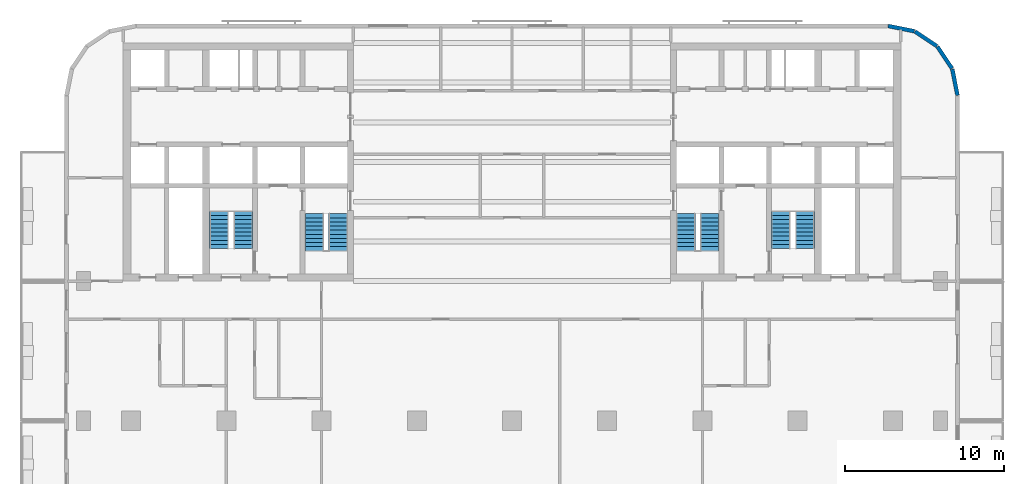
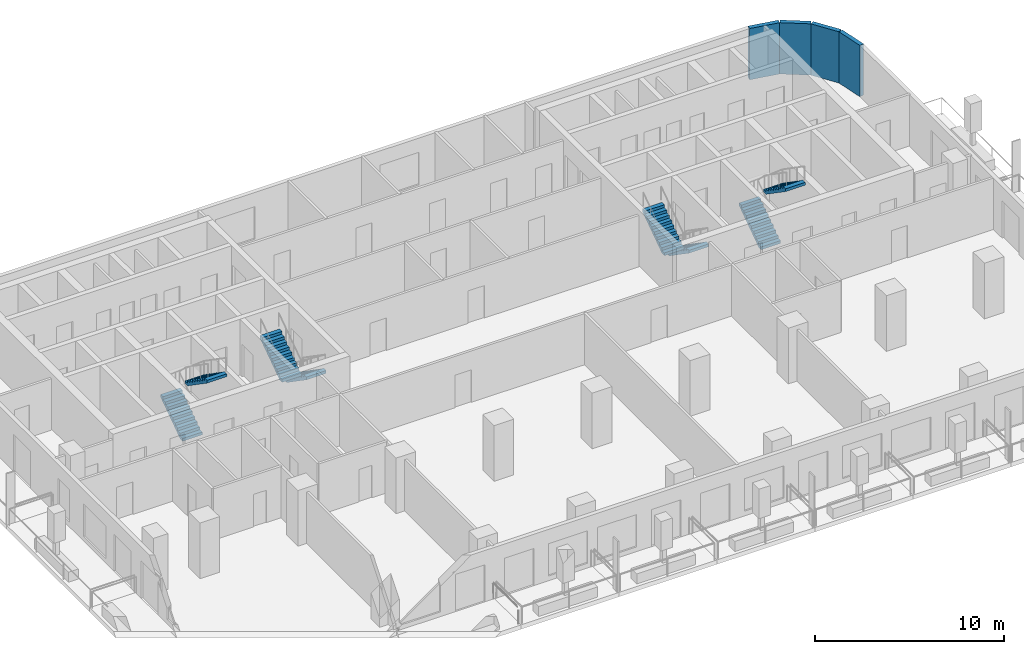
# One storey, part 7 of 11: 8 stair flights, 4 walls, 4 elements without a shape of their own.
"""IFC4 building model written with IfcOpenShell, lengths in metres."""

import ifcopenshell
import ifcopenshell.guid

model = None  # the IFC model being written
_history = None  # IfcOwnerHistory: only IFC2X3 demands one
_inside = {}  # id of a spatial element -> (the spatial element, [elements in it])
_under = {}  # id of a project, library or spatial element -> (it, [spatial elements below it])
_declared = {}  # id of a project -> (the project, [libraries it declares])
_typed = {}  # id of a type object -> (the type object, [elements of that type])
_made_of = {}  # id of a material, layer set ... -> (it, [elements and type objects made of it])


def new_model(schema):
    """Start an empty IFC model of exactly this schema.

    Asked for "IFC4X3", IfcOpenShell would pick the latest addendum, in which some entities
    have other attributes; the version numbers below select the first issue.
    IFC2X3 requires an IfcOwnerHistory on every rooted entity: one is made here for all.
    """
    global model, _history
    if schema == "IFC4X3":
        model = ifcopenshell.file(schema_version=(4, 3, 0, 0))
    else:
        model = ifcopenshell.file(schema=schema)
    _inside.clear()
    _under.clear()
    _declared.clear()
    _typed.clear()
    _made_of.clear()
    _history = None
    if model.schema == "IFC2X3":
        org = make("IfcOrganization", Name="unknown")
        user = make(
            "IfcPersonAndOrganization",
            ThePerson=make("IfcPerson", FamilyName="unknown"),
            TheOrganization=org,
        )
        app = make(
            "IfcApplication",
            ApplicationDeveloper=org,
            Version="unknown",
            ApplicationFullName="unknown",
            ApplicationIdentifier="unknown",
        )
        _history = make(
            "IfcOwnerHistory",
            OwningUser=user,
            OwningApplication=app,
            ChangeAction="ADDED",
            CreationDate=0,
        )
    return model


def make(cls, **values):
    """One entity of the class cls with the attributes given. An attribute that is None is left unset."""
    return model.create_entity(
        cls, **{name: value for name, value in values.items() if value is not None}
    )


def rooted(cls, **values):
    """An entity with a GlobalId (a new one), such as an element, a storey or a relation."""
    return make(cls, GlobalId=ifcopenshell.guid.new(), OwnerHistory=_history, **values)


def si_unit(unit_type, name, prefix=None):
    """IfcSIUnit, for example si_unit("LENGTHUNIT", "METRE", prefix="MILLI")."""
    return make("IfcSIUnit", UnitType=unit_type, Prefix=prefix, Name=name)


def assignment(units):
    """IfcUnitAssignment: the units of a project."""
    return None if units is None else make("IfcUnitAssignment", Units=units)


def point(xyz):
    """IfcCartesianPoint."""
    return None if xyz is None else make("IfcCartesianPoint", Coordinates=xyz)


def direction(xyz):
    """IfcDirection."""
    return None if xyz is None else make("IfcDirection", DirectionRatios=xyz)


def frame(location, z_axis=None, x_axis=None):
    """IfcAxis2Placement3D, a coordinate frame: its origin and axes. An axis left out is left unset."""
    return make(
        "IfcAxis2Placement3D",
        Location=point(location),
        Axis=direction(z_axis),
        RefDirection=direction(x_axis),
    )


def frame_2d(location, x_axis=None):
    """IfcAxis2Placement2D, a coordinate frame in the plane: its origin and x axis."""
    return make(
        "IfcAxis2Placement2D", Location=point(location), RefDirection=direction(x_axis)
    )


def origin():
    """The frame at (0, 0, 0) with its axes left unset."""
    return frame((0.0, 0.0, 0.0))


def place(relative_to, where):
    """IfcLocalPlacement: puts the frame where relative to a parent placement (None: the world)."""
    return make(
        "IfcLocalPlacement", PlacementRelTo=relative_to, RelativePlacement=where
    )


def context(
    kind, dimensions, precision=None, world=None, true_north=None, identifier=None
):
    """IfcGeometricRepresentationContext, for example the 3D "Model" context."""
    return make(
        "IfcGeometricRepresentationContext",
        ContextIdentifier=identifier,
        ContextType=kind,
        CoordinateSpaceDimension=dimensions,
        Precision=precision,
        WorldCoordinateSystem=world,
        TrueNorth=true_north,
    )


def subcontext(parent, identifier, kind, view, scale=None):
    """IfcGeometricRepresentationSubContext, for example "Body" below "Model"."""
    return make(
        "IfcGeometricRepresentationSubContext",
        ContextIdentifier=identifier,
        ContextType=kind,
        ParentContext=parent,
        TargetScale=scale,
        TargetView=view,
    )


def project(units=None, contexts=None):
    """IfcProject with its units and contexts."""
    return rooted(
        "IfcProject",
        Name="project",
        RepresentationContexts=contexts,
        UnitsInContext=assignment(units),
    )


def spatial(cls, under=None, at=None, **own):
    """A site, building, storey or space (cls), placed at a placement, below another one or the project."""
    s = rooted(cls, ObjectPlacement=at, **own)
    if under is not None:
        _under.setdefault(under.id(), (under, []))[1].append(s)
    return s


def polyline(points):
    """IfcPolyline through the points."""
    return make("IfcPolyline", Points=[point(p) for p in points])


def profile(cls, at=None, kind="AREA", **sizes):
    """A parametric profile (cls). Its sizes go by their IFC names, for example OverallWidth=200.0."""
    return make(cls, ProfileType=kind, Position=at, **sizes)


def rectangle(**sizes):
    """IfcRectangleProfileDef."""
    return profile("IfcRectangleProfileDef", **sizes)


def outline(outer, holes=None, kind="AREA"):
    """IfcArbitraryClosedProfileDef: a profile drawn as a closed curve; with holes, ...WithVoids."""
    if holes is None:
        return make("IfcArbitraryClosedProfileDef", ProfileType=kind, OuterCurve=outer)
    return make(
        "IfcArbitraryProfileDefWithVoids",
        ProfileType=kind,
        OuterCurve=outer,
        InnerCurves=holes,
    )


def extrude(swept, where, along, depth):
    """IfcExtrudedAreaSolid: the profile swept, set in the frame where, extruded along a direction by depth."""
    return make(
        "IfcExtrudedAreaSolid",
        SweptArea=swept,
        Position=where,
        ExtrudedDirection=direction(along),
        Depth=depth,
    )


def shape(context_of_items, identifier, shape_type, items):
    """IfcShapeRepresentation: the items that make up one representation, for example the "Body"."""
    return make(
        "IfcShapeRepresentation",
        ContextOfItems=context_of_items,
        RepresentationIdentifier=identifier,
        RepresentationType=shape_type,
        Items=items,
    )


def material(Name=None, Category=None):
    """IfcMaterial."""
    return make("IfcMaterial", Name=Name, Category=Category)


def layer(
    of_material, thickness, ventilated=None, Name=None, Category=None, Priority=None
):
    """IfcMaterialLayer: one layer of a wall or slab, of a material (None: an air gap)."""
    return make(
        "IfcMaterialLayer",
        Material=of_material,
        LayerThickness=thickness,
        IsVentilated=ventilated,
        Name=Name,
        Category=Category,
        Priority=Priority,
    )


def layer_set(layers, Name=None):
    """IfcMaterialLayerSet."""
    return make("IfcMaterialLayerSet", MaterialLayers=layers, LayerSetName=Name)


def made_of(thing, what):
    """Note that an element or type object is made of a material, layer set ...; save() writes the relation."""
    if what is not None:
        _made_of.setdefault(what.id(), (what, []))[1].append(thing)
    return thing


def type_object(cls, material=None, **own):
    """A type object (cls), such as IfcWallType, which elements share."""
    return made_of(rooted(cls, **own), material)


def element(
    cls,
    number,
    at=None,
    inside=None,
    cuts=None,
    type_object=None,
    material=None,
    context=None,
    identifier="Body",
    shape_type=None,
    held_by="IfcProductDefinitionShape",
    body=None,
    shapes=None,
    **own,
):
    """One element of the class cls, such as IfcWall. Its Tag is "e" and its number.

    at: its placement. inside: the storey or other place that contains it. cuts: it is an
    opening in that element (IfcRelVoidsElement). A single representation is given by context,
    identifier, shape_type and body (its items); several are given by shapes. held_by: the class
    of the entity that holds the representations. save() writes the other relations.
    """
    e = rooted(cls, Tag="e%d" % number, ObjectPlacement=at, **own)
    if body is not None:
        shapes = [shape(context, identifier, shape_type, body)]
    if shapes is not None:
        e.Representation = make(held_by, Representations=shapes)
    if inside is not None:
        _inside.setdefault(inside.id(), (inside, []))[1].append(e)
    if cuts is not None:
        rooted(
            "IfcRelVoidsElement", RelatingBuildingElement=cuts, RelatedOpeningElement=e
        )
    if type_object is not None:
        _typed.setdefault(type_object.id(), (type_object, []))[1].append(e)
    return made_of(e, material)


def aggregate(whole, parts):
    """IfcRelAggregates: a whole, such as a stair, and the parts it consists of."""
    return rooted("IfcRelAggregates", RelatingObject=whole, RelatedObjects=parts)


def save(model, path):
    """Write the relations noted so far, then the file.

    IfcRelAggregates (storeys below a building ...), IfcRelContainedInSpatialStructure (elements
    in a storey), IfcRelDefinesByType, IfcRelAssociatesMaterial and IfcRelDeclares: one each for
    every whole, place, type object, material and project.
    """
    for whole, parts in _under.values():
        aggregate(whole, parts)
    for where, things in _inside.values():
        rooted(
            "IfcRelContainedInSpatialStructure",
            RelatedElements=things,
            RelatingStructure=where,
        )
    for kind, things in _typed.values():
        rooted("IfcRelDefinesByType", RelatedObjects=things, RelatingType=kind)
    for what, things in _made_of.values():
        rooted("IfcRelAssociatesMaterial", RelatedObjects=things, RelatingMaterial=what)
    for by, libraries in _declared.values():
        rooted("IfcRelDeclares", RelatingContext=by, RelatedDefinitions=libraries)
    model.write(path)


model = new_model("IFC4")

# Units and contexts
model_context = context("Model", 3, precision=1e-05, world=origin(), true_north=direction((0.0, 1.0)))
body_context = subcontext(model_context, "Body", "Model", "MODEL_VIEW")
ifc_project = project(units=[si_unit("LENGTHUNIT", "METRE"), si_unit("AREAUNIT", "SQUARE_METRE"), si_unit("VOLUMEUNIT", "CUBIC_METRE"), si_unit("PLANEANGLEUNIT", "RADIAN"), si_unit("MASSUNIT", "GRAM", prefix="KILO")], contexts=[model_context])

# Site, building, storey
site_placement = place(None, origin())
site = spatial("IfcSite", under=ifc_project, at=site_placement, CompositionType="ELEMENT")
building_placement = place(site_placement, origin())
building = spatial("IfcBuilding", under=site, at=building_placement, Name="Torana Hotel and Residences", CompositionType="ELEMENT")
storey_placement = place(building_placement, frame((0.0, 0.0, 170.39990234375)))
storey = spatial("IfcBuildingStorey", under=building, at=storey_placement, Name="L44", CompositionType="ELEMENT", Elevation=170.39990234375)

# Walls
ifc_material_1 = material(Name="Black aluminium composite panel", Category="aluminium")
ifc_layer_1 = layer(ifc_material_1, 0.00390625, Name="Cladding", Category="cladding")
ifc_material_2 = material(Name="Ventilated air cavity")
ifc_layer_2 = layer(ifc_material_2, 0.0400390625, Name="Ventilated cavity", Category="cavity")
ifc_material_3 = material(Name="Mineral wool insulation")
ifc_layer_3 = layer(ifc_material_3, 0.090087890625, Name="Insulation", Category="insulation")
ifc_material_4 = material(Name="Steel S280GD", Category="steel")
ifc_layer_4 = layer(ifc_material_4, 0.092041015625, Name="Steel stud frame", Category="structure")
ifc_material_5 = material(Name="Fire rated plasterboard")
ifc_layer_5 = layer(ifc_material_5, 0.011962890625, Name="Inner board", Category="finish")
ifc_layer_6 = layer(ifc_material_5, 0.011962890625, Name="Second board", Category="finish")
ifc_layer_set = layer_set([ifc_layer_1, ifc_layer_2, ifc_layer_3, ifc_layer_4, ifc_layer_5, ifc_layer_6], Name="EW1 EXTERNAL WALL BLACK METAL CLAD 250")
wall_type = type_object("IfcWallType", Name="EW1 EXTERNAL WALL BLACK METAL CLAD 250", PredefinedType="SOLIDWALL", material=ifc_layer_set)
wall_1_placement = place(storey_placement, frame((28.072509765625, -3.30029296875, 0.0), z_axis=(0.0, 0.0, 1.0), x_axis=(-0.194999110559, 0.980803419081, 0.0)))
element("IfcWall", 1, at=wall_1_placement, inside=storey, type_object=wall_type, Name="External wall L44 e0.0", PredefinedType="SOLIDWALL", context=body_context, shape_type="SweptSolid", body=[
    extrude(rectangle(XDim=1.681396484375, YDim=0.25, at=frame_2d((0.8408203125, 0.0))), origin(), (0.0, 0.0, 1.0), 3.320068359375),
])
for number, where, z_axis, x_axis, name in (
    (2, (27.725830078125, -1.60595703125, 0.0), (0.0, 0.0, 1.0), (-0.55555029066, 0.831482937015, 0.0), "External wall L44 e0.1"),
    (3, (26.771240234375, -0.1943359375, 0.0), (0.0, 0.0, 1.0), (-0.831482937015, 0.55555029066, 0.0), "External wall L44 e0.2"),
):
    element("IfcWall", number, at=place(storey_placement, frame(where, z_axis=z_axis, x_axis=x_axis)), inside=storey, type_object=wall_type, Name=name, PredefinedType="SOLIDWALL", context=body_context, shape_type="SweptSolid", body=[
        extrude(rectangle(XDim=1.65625, YDim=0.25, at=frame_2d((0.828125, 0.0))), origin(), (0.0, 0.0, 1.0), 3.320068359375),
    ])
wall_2_placement = place(storey_placement, frame((25.348876953125, 0.74462890625, 0.0), z_axis=(0.0, 0.0, 1.0), x_axis=(-0.980803419081, 0.194999110559, 0.0)))
element("IfcWall", 4, at=wall_2_placement, inside=storey, type_object=wall_type, Name="External wall L44 e0.3", PredefinedType="SOLIDWALL", context=body_context, shape_type="SweptSolid", body=[
    extrude(rectangle(XDim=1.681396484375, YDim=0.25, at=frame_2d((0.8408203125, 0.0))), origin(), (0.0, 0.0, 1.0), 3.320068359375),
])

# Stair, stair flights
ifc_material_6 = material(Name="Concrete C40/50 precast", Category="concrete")
stair_type_1 = type_object("IfcStairType", Name="STAIR ST1 HALF TURN 1200", PredefinedType="HALF_TURN_STAIR", material=ifc_material_6)
stair_1_placement = place(storey_placement, origin())
stair_1 = element("IfcStair", 5, at=stair_1_placement, inside=storey, type_object=stair_type_1, Name="Stair ST1 L44", PredefinedType="HALF_TURN_STAIR")
ifc_material_7 = material(Name="Concrete C40/50 precast", Category="concrete")
stair_flight_type = type_object("IfcStairFlightType", Name="STAIR FLIGHT 1200 PRECAST", PredefinedType="STRAIGHT", material=ifc_material_7)
stair_flight_1_placement = place(storey_placement, frame((-10.949951171875, -10.75, 0.0), z_axis=(0.0, 0.0, 1.0), x_axis=(0.0, -1.0, 0.0)))
stair_flight_1 = element("IfcStairFlight", 6, at=stair_flight_1_placement, type_object=stair_flight_type, Name="ST1 flight 1", NumberOfRisers=10, NumberOfTreads=9, PredefinedType="STRAIGHT", RiserHeight=0.18, TreadLength=0.26, context=body_context, shape_type="SweptSolid", body=[
    extrude(outline(polyline([(0.0, 0.0), (0.0, 0.179931640625), (0.260009765625, 0.179931640625), (0.260009765625, 0.360107421875), (0.52001953125, 0.360107421875), (0.52001953125, 0.5400390625), (0.780029296875, 0.5400390625), (0.780029296875, 0.719970703125), (1.0400390625, 0.719970703125), (1.0400390625, 0.89990234375), (1.300048828125, 0.89990234375), (1.300048828125, 1.080078125), (1.56005859375, 1.080078125), (1.56005859375, 1.260009765625), (1.820068359375, 1.260009765625), (1.820068359375, 1.43994140625), (2.080078125, 1.43994140625), (2.080078125, 1.6201171875), (2.340087890625, 1.6201171875), (2.340087890625, 1.800048828125), (2.340087890625, 1.437744140625), (0.263427734375, 0.0), (0.0, 0.0)])), frame((0.0, 0.60009765625, 0.0), z_axis=(0.0, -1.0, 0.0), x_axis=(1.0, 0.0, 0.0)), (0.0, 0.0, 1.0), 1.199951171875),
])
stair_flight_2_placement = place(storey_placement, frame((-12.449951171875, -13.090087890625, 1.800048828125), z_axis=(0.0, 0.0, 1.0), x_axis=(0.0, 1.0, 0.0)))
stair_flight_2 = element("IfcStairFlight", 7, at=stair_flight_2_placement, type_object=stair_flight_type, Name="ST1 flight 2", NumberOfRisers=10, NumberOfTreads=9, PredefinedType="STRAIGHT", RiserHeight=0.18, TreadLength=0.26, context=body_context, shape_type="SweptSolid", body=[
    extrude(outline(polyline([(0.0, 0.0), (0.0, 0.179931640625), (0.260009765625, 0.179931640625), (0.260009765625, 0.360107421875), (0.52001953125, 0.360107421875), (0.52001953125, 0.5400390625), (0.780029296875, 0.5400390625), (0.780029296875, 0.719970703125), (1.0400390625, 0.719970703125), (1.0400390625, 0.89990234375), (1.300048828125, 0.89990234375), (1.300048828125, 1.080078125), (1.56005859375, 1.080078125), (1.56005859375, 1.260009765625), (1.820068359375, 1.260009765625), (1.820068359375, 1.43994140625), (2.080078125, 1.43994140625), (2.080078125, 1.6201171875), (2.340087890625, 1.6201171875), (2.340087890625, 1.800048828125), (2.340087890625, 1.437744140625), (0.263427734375, 0.0), (0.0, 0.0)])), frame((0.0, 0.60009765625, 0.0), z_axis=(0.0, -1.0, 0.0), x_axis=(1.0, 0.0, 0.0)), (0.0, 0.0, 1.0), 1.199951171875),
])
aggregate(stair_1, [stair_flight_1, stair_flight_2])

ifc_material_8 = material(Name="Concrete C40/50 precast", Category="concrete")
stair_type_2 = type_object("IfcStairType", Name="STAIR ST2 HALF TURN 1200", PredefinedType="HALF_TURN_STAIR", material=ifc_material_8)
stair_2_placement = place(storey_placement, origin())
stair_2 = element("IfcStair", 8, at=stair_2_placement, inside=storey, type_object=stair_type_2, Name="Stair ST2 L44", PredefinedType="HALF_TURN_STAIR")
stair_flight_3_placement = place(storey_placement, frame((-18.449951171875, -12.949951171875, 0.0), z_axis=(0.0, 0.0, 1.0), x_axis=(0.0, 1.0, 0.0)))
stair_flight_3 = element("IfcStairFlight", 9, at=stair_flight_3_placement, type_object=stair_flight_type, Name="ST2 flight 1", NumberOfRisers=10, NumberOfTreads=9, PredefinedType="STRAIGHT", RiserHeight=0.18, TreadLength=0.26, context=body_context, shape_type="SweptSolid", body=[
    extrude(outline(polyline([(0.0, 0.0), (0.0, 0.179931640625), (0.260009765625, 0.179931640625), (0.260009765625, 0.360107421875), (0.52001953125, 0.360107421875), (0.52001953125, 0.5400390625), (0.780029296875, 0.5400390625), (0.780029296875, 0.719970703125), (1.0400390625, 0.719970703125), (1.0400390625, 0.89990234375), (1.300048828125, 0.89990234375), (1.300048828125, 1.080078125), (1.56005859375, 1.080078125), (1.56005859375, 1.260009765625), (1.820068359375, 1.260009765625), (1.820068359375, 1.43994140625), (2.080078125, 1.43994140625), (2.080078125, 1.6201171875), (2.340087890625, 1.6201171875), (2.340087890625, 1.800048828125), (2.340087890625, 1.437744140625), (0.263427734375, 0.0), (0.0, 0.0)])), frame((0.0, 0.60009765625, 0.0), z_axis=(0.0, -1.0, 0.0), x_axis=(1.0, 0.0, 0.0)), (0.0, 0.0, 1.0), 1.199951171875),
])
stair_flight_4_placement = place(storey_placement, frame((-16.949951171875, -10.610107421875, 1.800048828125), z_axis=(0.0, 0.0, 1.0), x_axis=(0.0, -1.0, 0.0)))
stair_flight_4 = element("IfcStairFlight", 10, at=stair_flight_4_placement, type_object=stair_flight_type, Name="ST2 flight 2", NumberOfRisers=10, NumberOfTreads=9, PredefinedType="STRAIGHT", RiserHeight=0.18, TreadLength=0.26, context=body_context, shape_type="SweptSolid", body=[
    extrude(outline(polyline([(0.0, 0.0), (0.0, 0.179931640625), (0.260009765625, 0.179931640625), (0.260009765625, 0.360107421875), (0.52001953125, 0.360107421875), (0.52001953125, 0.5400390625), (0.780029296875, 0.5400390625), (0.780029296875, 0.719970703125), (1.0400390625, 0.719970703125), (1.0400390625, 0.89990234375), (1.300048828125, 0.89990234375), (1.300048828125, 1.080078125), (1.56005859375, 1.080078125), (1.56005859375, 1.260009765625), (1.820068359375, 1.260009765625), (1.820068359375, 1.43994140625), (2.080078125, 1.43994140625), (2.080078125, 1.6201171875), (2.340087890625, 1.6201171875), (2.340087890625, 1.800048828125), (2.340087890625, 1.437744140625), (0.263427734375, 0.0), (0.0, 0.0)])), frame((0.0, 0.60009765625, 0.0), z_axis=(0.0, -1.0, 0.0), x_axis=(1.0, 0.0, 0.0)), (0.0, 0.0, 1.0), 1.199951171875),
])
aggregate(stair_2, [stair_flight_3, stair_flight_4])

ifc_material_9 = material(Name="Concrete C40/50 precast", Category="concrete")
stair_type_3 = type_object("IfcStairType", Name="STAIR ST3 HALF TURN 1200", PredefinedType="HALF_TURN_STAIR", material=ifc_material_9)
stair_3_placement = place(storey_placement, origin())
stair_3 = element("IfcStair", 11, at=stair_3_placement, inside=storey, type_object=stair_type_3, Name="Stair ST3 L44", PredefinedType="HALF_TURN_STAIR")
stair_flight_5_placement = place(storey_placement, frame((12.449951171875, -10.75, 0.0), z_axis=(0.0, 0.0, 1.0), x_axis=(0.0, -1.0, 0.0)))
stair_flight_5 = element("IfcStairFlight", 12, at=stair_flight_5_placement, type_object=stair_flight_type, Name="ST3 flight 1", NumberOfRisers=10, NumberOfTreads=9, PredefinedType="STRAIGHT", RiserHeight=0.18, TreadLength=0.26, context=body_context, shape_type="SweptSolid", body=[
    extrude(outline(polyline([(0.0, 0.0), (0.0, 0.179931640625), (0.260009765625, 0.179931640625), (0.260009765625, 0.360107421875), (0.52001953125, 0.360107421875), (0.52001953125, 0.5400390625), (0.780029296875, 0.5400390625), (0.780029296875, 0.719970703125), (1.0400390625, 0.719970703125), (1.0400390625, 0.89990234375), (1.300048828125, 0.89990234375), (1.300048828125, 1.080078125), (1.56005859375, 1.080078125), (1.56005859375, 1.260009765625), (1.820068359375, 1.260009765625), (1.820068359375, 1.43994140625), (2.080078125, 1.43994140625), (2.080078125, 1.6201171875), (2.340087890625, 1.6201171875), (2.340087890625, 1.800048828125), (2.340087890625, 1.437744140625), (0.263427734375, 0.0), (0.0, 0.0)])), frame((0.0, 0.60009765625, 0.0), z_axis=(0.0, -1.0, 0.0), x_axis=(1.0, 0.0, 0.0)), (0.0, 0.0, 1.0), 1.199951171875),
])
stair_flight_6_placement = place(storey_placement, frame((10.949951171875, -13.090087890625, 1.800048828125), z_axis=(0.0, 0.0, 1.0), x_axis=(0.0, 1.0, 0.0)))
stair_flight_6 = element("IfcStairFlight", 13, at=stair_flight_6_placement, type_object=stair_flight_type, Name="ST3 flight 2", NumberOfRisers=10, NumberOfTreads=9, PredefinedType="STRAIGHT", RiserHeight=0.18, TreadLength=0.26, context=body_context, shape_type="SweptSolid", body=[
    extrude(outline(polyline([(0.0, 0.0), (0.0, 0.179931640625), (0.260009765625, 0.179931640625), (0.260009765625, 0.360107421875), (0.52001953125, 0.360107421875), (0.52001953125, 0.5400390625), (0.780029296875, 0.5400390625), (0.780029296875, 0.719970703125), (1.0400390625, 0.719970703125), (1.0400390625, 0.89990234375), (1.300048828125, 0.89990234375), (1.300048828125, 1.080078125), (1.56005859375, 1.080078125), (1.56005859375, 1.260009765625), (1.820068359375, 1.260009765625), (1.820068359375, 1.43994140625), (2.080078125, 1.43994140625), (2.080078125, 1.6201171875), (2.340087890625, 1.6201171875), (2.340087890625, 1.800048828125), (2.340087890625, 1.437744140625), (0.263427734375, 0.0), (0.0, 0.0)])), frame((0.0, 0.60009765625, 0.0), z_axis=(0.0, -1.0, 0.0), x_axis=(1.0, 0.0, 0.0)), (0.0, 0.0, 1.0), 1.199951171875),
])
aggregate(stair_3, [stair_flight_5, stair_flight_6])

ifc_material_10 = material(Name="Concrete C40/50 precast", Category="concrete")
stair_type_4 = type_object("IfcStairType", Name="STAIR ST4 HALF TURN 1200", PredefinedType="HALF_TURN_STAIR", material=ifc_material_10)
stair_4_placement = place(storey_placement, origin())
stair_4 = element("IfcStair", 14, at=stair_4_placement, inside=storey, type_object=stair_type_4, Name="Stair ST4 L44", PredefinedType="HALF_TURN_STAIR")
stair_flight_7_placement = place(storey_placement, frame((16.949951171875, -12.949951171875, 0.0), z_axis=(0.0, 0.0, 1.0), x_axis=(0.0, 1.0, 0.0)))
stair_flight_7 = element("IfcStairFlight", 15, at=stair_flight_7_placement, type_object=stair_flight_type, Name="ST4 flight 1", NumberOfRisers=10, NumberOfTreads=9, PredefinedType="STRAIGHT", RiserHeight=0.18, TreadLength=0.26, context=body_context, shape_type="SweptSolid", body=[
    extrude(outline(polyline([(0.0, 0.0), (0.0, 0.179931640625), (0.260009765625, 0.179931640625), (0.260009765625, 0.360107421875), (0.52001953125, 0.360107421875), (0.52001953125, 0.5400390625), (0.780029296875, 0.5400390625), (0.780029296875, 0.719970703125), (1.0400390625, 0.719970703125), (1.0400390625, 0.89990234375), (1.300048828125, 0.89990234375), (1.300048828125, 1.080078125), (1.56005859375, 1.080078125), (1.56005859375, 1.260009765625), (1.820068359375, 1.260009765625), (1.820068359375, 1.43994140625), (2.080078125, 1.43994140625), (2.080078125, 1.6201171875), (2.340087890625, 1.6201171875), (2.340087890625, 1.800048828125), (2.340087890625, 1.437744140625), (0.263427734375, 0.0), (0.0, 0.0)])), frame((0.0, 0.60009765625, 0.0), z_axis=(0.0, -1.0, 0.0), x_axis=(1.0, 0.0, 0.0)), (0.0, 0.0, 1.0), 1.199951171875),
])
stair_flight_8_placement = place(storey_placement, frame((18.449951171875, -10.610107421875, 1.800048828125), z_axis=(0.0, 0.0, 1.0), x_axis=(0.0, -1.0, 0.0)))
stair_flight_8 = element("IfcStairFlight", 16, at=stair_flight_8_placement, type_object=stair_flight_type, Name="ST4 flight 2", NumberOfRisers=10, NumberOfTreads=9, PredefinedType="STRAIGHT", RiserHeight=0.18, TreadLength=0.26, context=body_context, shape_type="SweptSolid", body=[
    extrude(outline(polyline([(0.0, 0.0), (0.0, 0.179931640625), (0.260009765625, 0.179931640625), (0.260009765625, 0.360107421875), (0.52001953125, 0.360107421875), (0.52001953125, 0.5400390625), (0.780029296875, 0.5400390625), (0.780029296875, 0.719970703125), (1.0400390625, 0.719970703125), (1.0400390625, 0.89990234375), (1.300048828125, 0.89990234375), (1.300048828125, 1.080078125), (1.56005859375, 1.080078125), (1.56005859375, 1.260009765625), (1.820068359375, 1.260009765625), (1.820068359375, 1.43994140625), (2.080078125, 1.43994140625), (2.080078125, 1.6201171875), (2.340087890625, 1.6201171875), (2.340087890625, 1.800048828125), (2.340087890625, 1.437744140625), (0.263427734375, 0.0), (0.0, 0.0)])), frame((0.0, 0.60009765625, 0.0), z_axis=(0.0, -1.0, 0.0), x_axis=(1.0, 0.0, 0.0)), (0.0, 0.0, 1.0), 1.199951171875),
])
aggregate(stair_4, [stair_flight_7, stair_flight_8])

save(model, "model.ifc")
